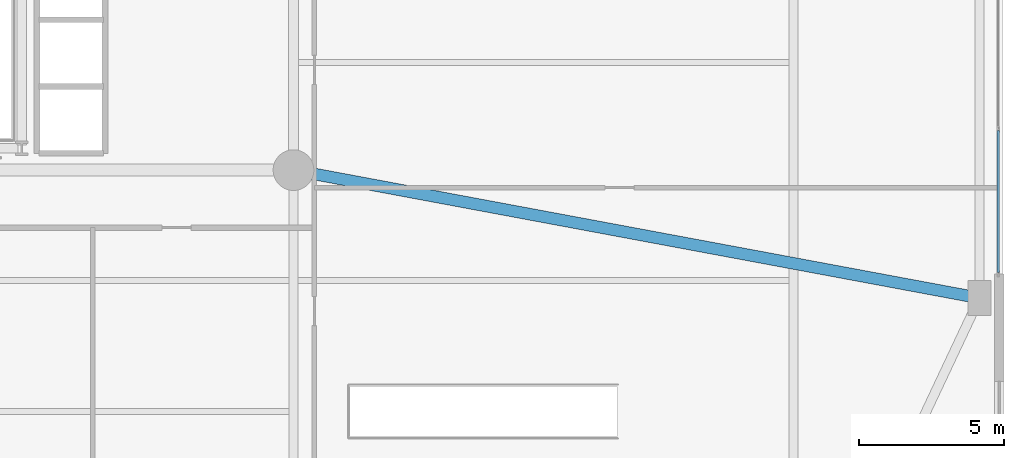
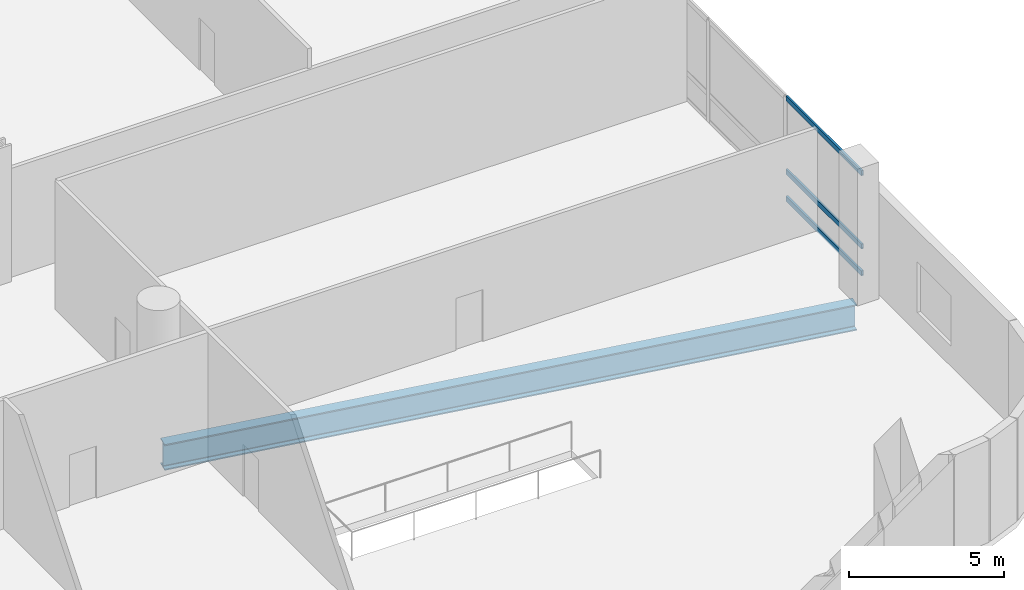
# One storey, part 17 of 31: 3 members, 1 beam, 1 element without a shape of its own.
"""IFC4 building model written with IfcOpenShell, lengths in metres."""

from ifc_helpers import new_model, si_unit, direction, frame, origin, origin_2d, place, context, subcontext, project, spatial, hollow_rectangle, i_section, extrude, material, layer, layer_set, material_profile, profile_set, type_object, element, aggregate, save


model = new_model("IFC4")

# Units and contexts
model_context = context("Model", 3, precision=1e-05, world=origin(), true_north=direction((0.0, 1.0)))
body_context = subcontext(model_context, "Body", "Model", "MODEL_VIEW")
ifc_project = project(units=[si_unit("LENGTHUNIT", "METRE"), si_unit("AREAUNIT", "SQUARE_METRE"), si_unit("VOLUMEUNIT", "CUBIC_METRE"), si_unit("PLANEANGLEUNIT", "RADIAN"), si_unit("MASSUNIT", "GRAM", prefix="KILO")], contexts=[model_context])

# Site, building, storey
site_placement = place(None, origin())
site = spatial("IfcSite", under=ifc_project, at=site_placement, CompositionType="ELEMENT")
building_placement = place(site_placement, origin())
building = spatial("IfcBuilding", under=site, at=building_placement, Name="Varnelok Gate Tower", CompositionType="ELEMENT")
storey_placement = place(building_placement, frame((0.0, 0.0, 16.199951171875)))
storey = spatial("IfcBuildingStorey", under=building, at=storey_placement, Name="L03", CompositionType="ELEMENT", Elevation=16.199951171875)

# Beam
ifc_material_1 = material(Name="Structural Steel ASTM A992 Grade 50", Category="steel")
ifc_material_profile_1 = material_profile(ifc_material_1, i_section(OverallWidth=0.404052734375, OverallDepth=1.02001953125, WebThickness=0.025390625, FlangeThickness=0.0458984375, FilletRadius=0.030029296875, at=origin_2d()), Name="W40X324")
ifc_profile_set_1 = profile_set([ifc_material_profile_1], Name="Structural Steel ASTM A992 Grade 50")
beam_type = type_object("IfcBeamType", Name="BM-SPR-W40X324", PredefinedType="BEAM", material=ifc_profile_set_1)
beam_placement = place(storey_placement, frame((54.1376953125, 18.7744140625, -0.7900390625), z_axis=(0.983060613177, -0.18328074318, 0.0), x_axis=(0.18328074318, 0.983060613177, 0.0)))
element("IfcBeam", 1, at=beam_placement, inside=storey, type_object=beam_type, Name="L03 Podium Primary Girder 17", PredefinedType="BEAM", context=body_context, shape_type="SweptSolid", body=[
    extrude(i_section(OverallWidth=0.404052734375, OverallDepth=1.02001953125, WebThickness=0.025390625, FlangeThickness=0.0458984375, FilletRadius=0.030029296875, at=origin_2d()), origin(), (0.0, 0.0, 1.0), 23.7265625),
])

# Curtain wall, members
ifc_material_2 = material(Name="Anodized Aluminum Alloy 6063-T6", Category="aluminium")
ifc_layer = layer(ifc_material_2, 0.179931640625)
ifc_layer_set = layer_set([ifc_layer], Name="Anodized Aluminum Alloy 6063-T6")
curtain_wall_type = type_object("IfcCurtainWallType", Name="CW1-ARCH-PORTAL", PredefinedType="USERDEFINED", material=ifc_layer_set)
curtain_wall_placement = place(storey_placement, origin())
curtain_wall = element("IfcCurtainWall", 2, at=curtain_wall_placement, inside=storey, type_object=curtain_wall_type, Name="L03 Podium Portal Curtain Wall E", ObjectType="UNITISED CURTAIN WALL", PredefinedType="USERDEFINED")
ifc_material_profile_2 = material_profile(ifc_material_2, hollow_rectangle(XDim=0.074951171875, YDim=0.199951171875, WallThickness=0.00390625, at=origin_2d()), Name="ALU200X75X4")
ifc_profile_set_2 = profile_set([ifc_material_profile_2], Name="Anodized Aluminum Alloy 6063-T6")
member_type = type_object("IfcMemberType", Name="CW-TRAN-200", PredefinedType="USERDEFINED", material=ifc_profile_set_2)
member_1_placement = place(storey_placement, frame((78.239990234375, 20.16259765625, 0.03759765625), z_axis=(0.0, -1.0, 0.0), x_axis=(1.0, 0.0, 0.0)))
member_1 = element("IfcMember", 3, at=member_1_placement, type_object=member_type, Name="CW1 transom 4.1", ObjectType="TRANSOM", PredefinedType="USERDEFINED", context=body_context, shape_type="SweptSolid", body=[
    extrude(hollow_rectangle(XDim=0.074951171875, YDim=0.199951171875, WallThickness=0.00390625, at=origin_2d()), origin(), (0.0, 0.0, 1.0), 4.8876953125),
])
member_2_placement = place(storey_placement, frame((78.239990234375, 20.16259765625, 1.10009765625), z_axis=(0.0, -1.0, 0.0), x_axis=(1.0, 0.0, 0.0)))
member_2 = element("IfcMember", 4, at=member_2_placement, type_object=member_type, Name="CW1 transom 4.2", ObjectType="TRANSOM", PredefinedType="USERDEFINED", context=body_context, shape_type="SweptSolid", body=[
    extrude(hollow_rectangle(XDim=0.074951171875, YDim=0.199951171875, WallThickness=0.00390625, at=origin_2d()), origin(), (0.0, 0.0, 1.0), 4.8876953125),
])
member_3_placement = place(storey_placement, frame((78.239990234375, 20.16259765625, 3.992431640625), z_axis=(0.0, -1.0, 0.0), x_axis=(1.0, 0.0, 0.0)))
member_3 = element("IfcMember", 5, at=member_3_placement, type_object=member_type, Name="CW1 transom 4.3", ObjectType="TRANSOM", PredefinedType="USERDEFINED", context=body_context, shape_type="SweptSolid", body=[
    extrude(hollow_rectangle(XDim=0.074951171875, YDim=0.199951171875, WallThickness=0.00390625, at=origin_2d()), origin(), (0.0, 0.0, 1.0), 4.8876953125),
])
aggregate(curtain_wall, [member_1, member_2, member_3])

save(model, "model.ifc")
